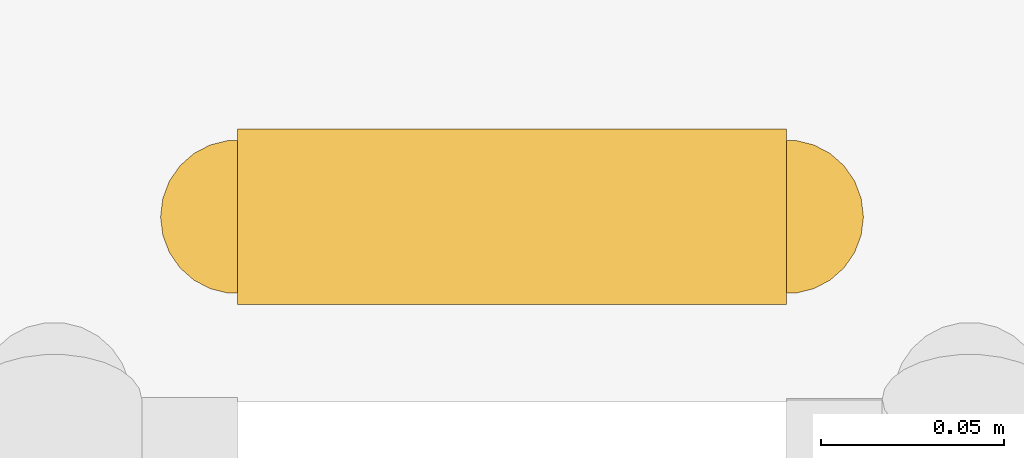
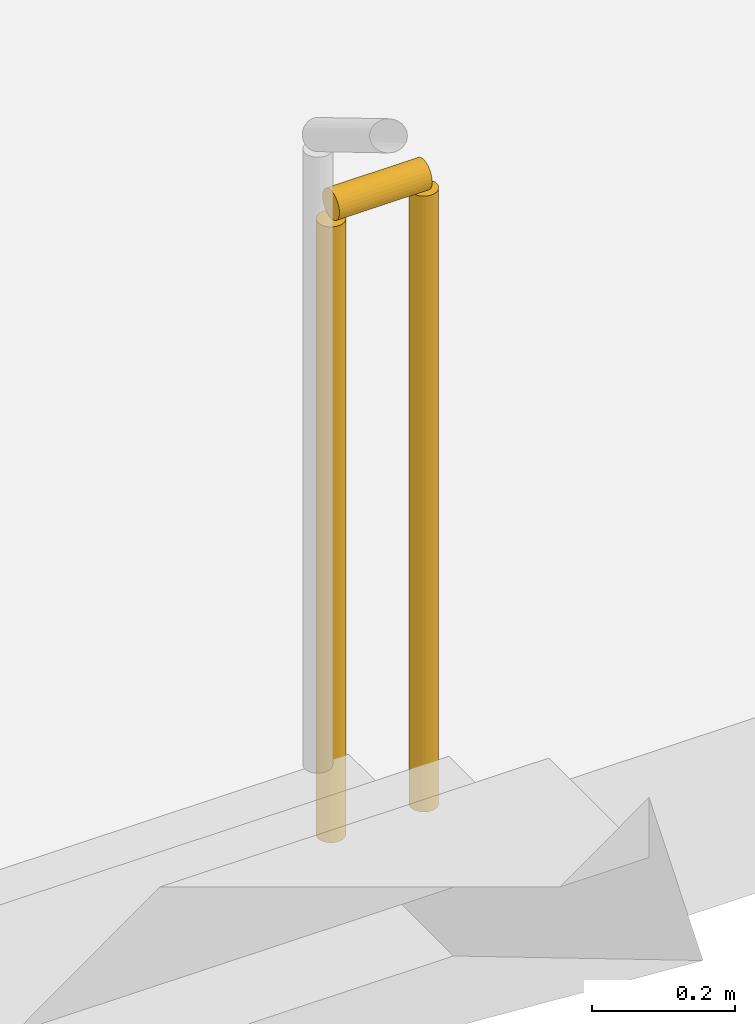
# One storey, part 32 of 32: 1 railing.
"""IFC4 building model written with IfcOpenShell, lengths in metres."""

from ifc_helpers import new_model, si_unit, direction, frame, origin, origin_2d, place, context, subcontext, project, spatial, circle, extrude, material, type_object, element, save


model = new_model("IFC4")

# Units and contexts
model_context = context("Model", 3, precision=1e-05, world=origin(), true_north=direction((0.0, 1.0)))
body_context = subcontext(model_context, "Body", "Model", "MODEL_VIEW")
ifc_project = project(units=[si_unit("LENGTHUNIT", "METRE"), si_unit("AREAUNIT", "SQUARE_METRE"), si_unit("VOLUMEUNIT", "CUBIC_METRE"), si_unit("PLANEANGLEUNIT", "RADIAN"), si_unit("MASSUNIT", "GRAM", prefix="KILO")], contexts=[model_context])

# Site, building, storey
site_placement = place(None, origin())
site = spatial("IfcSite", under=ifc_project, at=site_placement, CompositionType="ELEMENT")
building_placement = place(site_placement, origin())
building = spatial("IfcBuilding", under=site, at=building_placement, Name="Tamorin Gate", CompositionType="ELEMENT")
storey_placement = place(building_placement, frame((0.0, 0.0, 18.5)))
storey = spatial("IfcBuildingStorey", under=building, at=storey_placement, Name="L03", CompositionType="ELEMENT", Elevation=18.5)

# Railing
ifc_material = material(Name="Steel, galvanised", Category="steel")
railing_type = type_object("IfcRailingType", Name="Steel guard 1100 museum", PredefinedType="GUARDRAIL", material=ifc_material)
railing_placement = place(storey_placement, frame((206.550048828125, 95.64990234375, 0.0)))
element("IfcRailing", 1, at=railing_placement, inside=storey, type_object=railing_type, Name="L03 PS9 stair guard 4", PredefinedType="GUARDRAIL", context=body_context, shape_type="SweptSolid", body=[
    extrude(circle(Radius=0.02392578125, at=origin_2d()), frame((0.0, 0.0, 1.076171875), z_axis=(1.0, 0.0, 0.0), x_axis=(0.0, 1.0, 0.0)), (0.0, 0.0, 1.0), 0.14990234375),
    extrude(circle(Radius=0.02099609375, at=origin_2d()), origin(), (0.0, 0.0, 1.0), 1.052001953125),
    extrude(circle(Radius=0.02099609375, at=origin_2d()), frame((0.14990234375, 0.0, 0.0)), (0.0, 0.0, 1.0), 1.052001953125),
])

save(model, "model.ifc")
